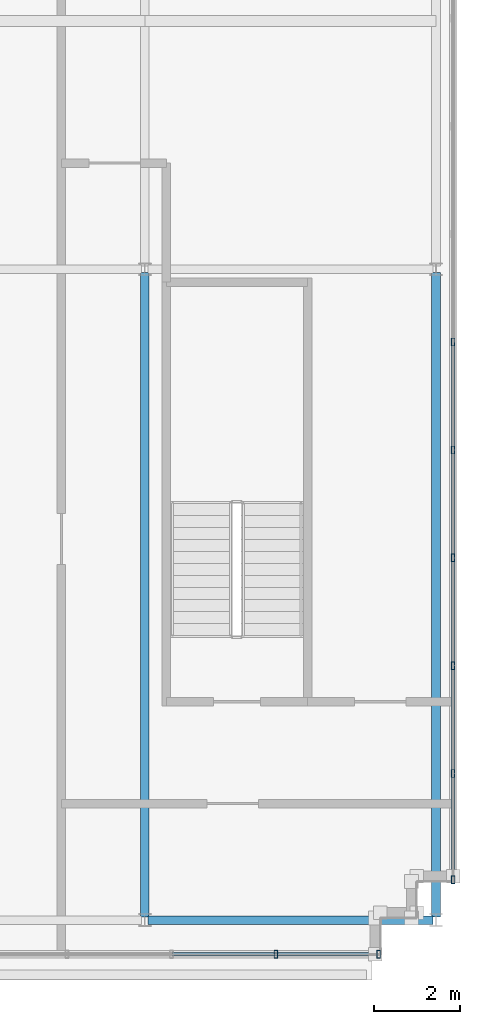
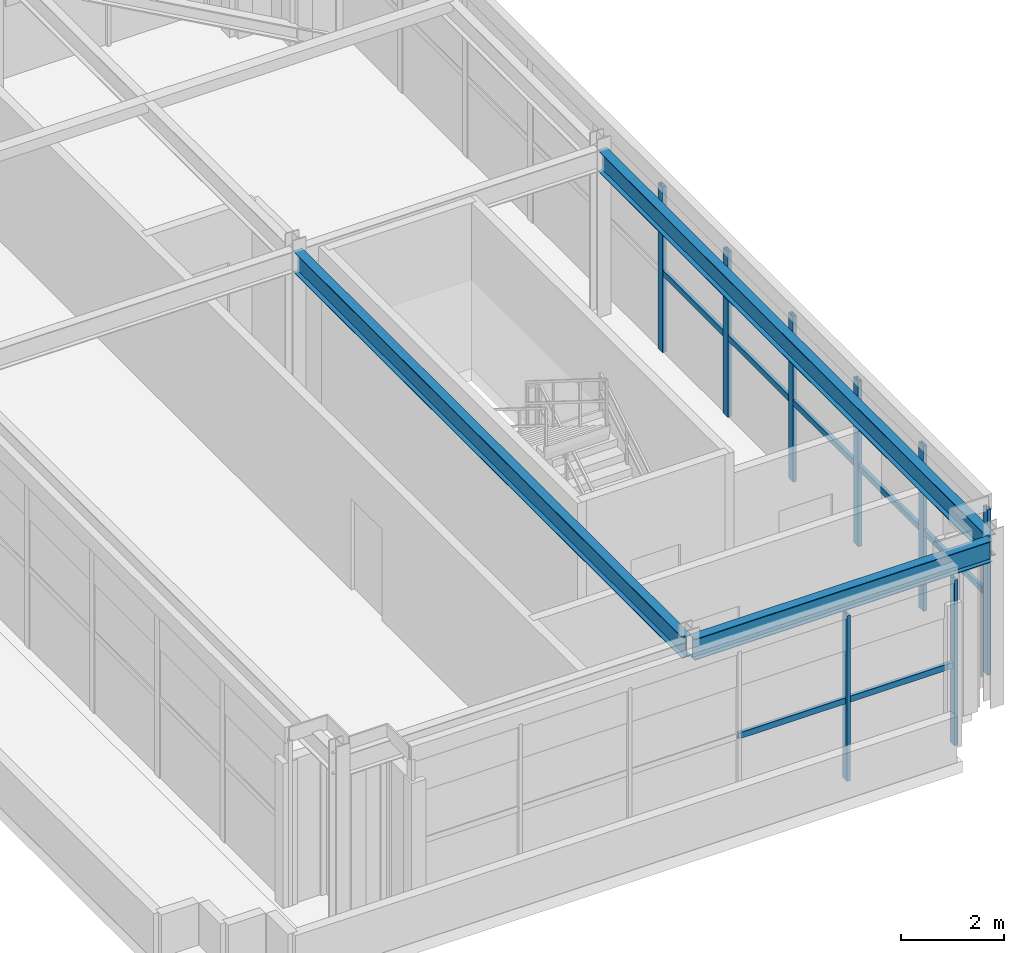
# One storey, part 13 of 25: 15 members, 3 beams, 2 elements without a shape of their own.
"""IFC4 building model written with IfcOpenShell, lengths in metres."""

from ifc_helpers import new_model, si_unit, direction, frame, origin, origin_2d, place, context, subcontext, project, spatial, hollow_rectangle, i_section, extrude, source, transform, mapped, material, material_profile, profile_set, type_object, element, aggregate, save


model = new_model("IFC4")

# Units and contexts
model_context = context("Model", 3, precision=1e-05, world=origin(), true_north=direction((0.0, 1.0)))
body_context = subcontext(model_context, "Body", "Model", "MODEL_VIEW")
ifc_project = project(units=[si_unit("LENGTHUNIT", "METRE"), si_unit("AREAUNIT", "SQUARE_METRE"), si_unit("VOLUMEUNIT", "CUBIC_METRE"), si_unit("PLANEANGLEUNIT", "RADIAN"), si_unit("MASSUNIT", "GRAM", prefix="KILO")], contexts=[model_context])

# Site, building, storey
site_placement = place(None, origin())
site = spatial("IfcSite", under=ifc_project, at=site_placement, CompositionType="ELEMENT")
building_placement = place(site_placement, origin())
building = spatial("IfcBuilding", under=site, at=building_placement, Name="Trelvane Seafront Commons", CompositionType="ELEMENT")
storey_placement = place(building_placement, frame((0.0, 0.0, 316.699951171875)))
storey = spatial("IfcBuildingStorey", under=building, at=storey_placement, Name="L82", CompositionType="ELEMENT", Elevation=316.699951171875)

# Beams
ifc_material_1 = material(Name="Steel SM355 (S355)", Category="steel")
ifc_material_profile_1 = material_profile(ifc_material_1, i_section(OverallWidth=0.199951171875, OverallDepth=0.5, WebThickness=0.010009765625, FlangeThickness=0.01611328125, at=origin_2d()), Name="H-500x200x10x16")
ifc_profile_set_1 = profile_set([ifc_material_profile_1], Name="Steel SM355 (S355)")
beam_type_1 = type_object("IfcBeamType", Name="STR-CROWN-FRAME-RING", PredefinedType="SPANDREL", material=ifc_profile_set_1)
shared_shape_1 = source(origin(), body_context, "Body", "SweptSolid", [
    extrude(i_section(OverallWidth=0.199951171875, OverallDepth=0.5, WebThickness=0.010009765625, FlangeThickness=0.01611328125, at=origin_2d()), origin(), (0.0, 0.0, 1.0), 6.64990234375),
])
beam_placement = place(storey_placement, frame((58.875, 18.199951171875, 3.66015625), z_axis=(1.0, 0.0, 0.0), x_axis=(0.0, 1.0, 0.0)))
element("IfcBeam", 1, at=beam_placement, inside=storey, type_object=beam_type_1, Name="L82 CROWN FRAME Ring Beam G-04", PredefinedType="SPANDREL", context=body_context, shape_type="MappedRepresentation", body=[
    mapped(shared_shape_1, transform((0.0, 0.0, 0.0), x_axis=(1.0, 0.0, 0.0), y_axis=(0.0, 1.0, 0.0), z_axis=(0.0, 0.0, 1.0), scale=1.0)),
])
ifc_material_profile_2 = material_profile(ifc_material_1, i_section(OverallWidth=0.199951171875, OverallDepth=0.5, WebThickness=0.010009765625, FlangeThickness=0.01611328125, at=origin_2d()), Name="H-500x200x10x16")
ifc_profile_set_2 = profile_set([ifc_material_profile_2], Name="Steel SM355 (S355)")
beam_type_2 = type_object("IfcBeamType", Name="STR-BM-H500", PredefinedType="BEAM", material=ifc_profile_set_2)
shared_shape_2 = source(origin(), body_context, "Body", "SweptSolid", [
    extrude(i_section(OverallWidth=0.199951171875, OverallDepth=0.5, WebThickness=0.010009765625, FlangeThickness=0.01611328125, at=origin_2d()), origin(), (0.0, 0.0, 1.0), 15.050048828125),
])
for number, where, z_axis, x_axis, name in (
    (2, (58.800048828125, 18.27490234375, 3.66015625), (0.0, 1.0, 0.0), (-1.0, 0.0, 0.0), "L82 Primary Girder G-21"),
    (3, (65.60009765625, 18.27490234375, 3.66015625), (0.0, 1.0, 0.0), (-1.0, 0.0, 0.0), "L82 Primary Girder G-23"),
):
    element("IfcBeam", number, at=place(storey_placement, frame(where, z_axis=z_axis, x_axis=x_axis)), inside=storey, type_object=beam_type_2, Name=name, PredefinedType="BEAM", context=body_context, shape_type="MappedRepresentation", body=[
        mapped(shared_shape_2, transform((0.0, 0.0, 0.0), x_axis=(1.0, 0.0, 0.0), y_axis=(0.0, 1.0, 0.0), z_axis=(0.0, 0.0, 1.0), scale=1.0)),
    ])

# Curtain wall, members
ifc_material_2 = material(Name="Anodised pale-silver aluminium", Category="aluminium")
curtain_wall_type = type_object("IfcCurtainWallType", Name="ARCH-CW6-CROWN", PredefinedType="NOTDEFINED", material=ifc_material_2)
curtain_wall_1_placement = place(storey_placement, origin())
curtain_wall_1 = element("IfcCurtainWall", 4, at=curtain_wall_1_placement, inside=storey, type_object=curtain_wall_type, Name="CW-L82-0158", PredefinedType="NOTDEFINED")
ifc_material_profile_3 = material_profile(ifc_material_2, hollow_rectangle(XDim=0.080078125, YDim=0.179931640625, WallThickness=0.00439453125, at=origin_2d()), Name="MULL-80x180x4.5")
ifc_profile_set_3 = profile_set([ifc_material_profile_3], Name="Anodised pale-silver aluminium")
member_type_1 = type_object("IfcMemberType", Name="ARCH-CW-MULL-180", PredefinedType="MULLION", material=ifc_profile_set_3)
shared_shape_3 = source(origin(), body_context, "Body", "SweptSolid", [
    extrude(hollow_rectangle(XDim=0.080078125, YDim=0.179931640625, WallThickness=0.00439453125, at=origin_2d()), origin(), (0.0, 0.0, 1.0), 3.91015625),
])
member_1_placement = place(storey_placement, frame((66.0, 31.699951171875, 0.0), z_axis=(0.0, 0.0, 1.0), x_axis=(1.0, 0.0, 0.0)))
member_1 = element("IfcMember", 5, at=member_1_placement, type_object=member_type_1, Name="CW-L82-0158-M05", PredefinedType="MULLION", context=body_context, shape_type="MappedRepresentation", body=[
    mapped(shared_shape_3, transform((0.0, 0.0, 0.0), x_axis=(1.0, 0.0, 0.0), y_axis=(0.0, 1.0, 0.0), z_axis=(0.0, 0.0, 1.0), scale=1.0)),
])
member_2_placement = place(storey_placement, frame((66.0, 29.179931640625, 0.0), z_axis=(0.0, 0.0, 1.0), x_axis=(1.0, 0.0, 0.0)))
member_2 = element("IfcMember", 6, at=member_2_placement, type_object=member_type_1, Name="CW-L82-0158-M06", PredefinedType="MULLION", context=body_context, shape_type="MappedRepresentation", body=[
    mapped(shared_shape_3, transform((0.0, 0.0, 0.0), x_axis=(1.0, 0.0, 0.0), y_axis=(0.0, 1.0, 0.0), z_axis=(0.0, 0.0, 1.0), scale=1.0)),
])
member_3_placement = place(storey_placement, frame((66.0, 26.659912109375, 0.0), z_axis=(0.0, 0.0, 1.0), x_axis=(1.0, 0.0, 0.0)))
member_3 = element("IfcMember", 7, at=member_3_placement, type_object=member_type_1, Name="CW-L82-0158-M07", PredefinedType="MULLION", context=body_context, shape_type="MappedRepresentation", body=[
    mapped(shared_shape_3, transform((0.0, 0.0, 0.0), x_axis=(1.0, 0.0, 0.0), y_axis=(0.0, 1.0, 0.0), z_axis=(0.0, 0.0, 1.0), scale=1.0)),
])
member_4_placement = place(storey_placement, frame((66.0, 24.139892578125, 0.0), z_axis=(0.0, 0.0, 1.0), x_axis=(1.0, 0.0, 0.0)))
member_4 = element("IfcMember", 8, at=member_4_placement, type_object=member_type_1, Name="CW-L82-0158-M08", PredefinedType="MULLION", context=body_context, shape_type="MappedRepresentation", body=[
    mapped(shared_shape_3, transform((0.0, 0.0, 0.0), x_axis=(1.0, 0.0, 0.0), y_axis=(0.0, 1.0, 0.0), z_axis=(0.0, 0.0, 1.0), scale=1.0)),
])
member_5_placement = place(storey_placement, frame((66.0, 21.6201171875, 0.0), z_axis=(0.0, 0.0, 1.0), x_axis=(1.0, 0.0, 0.0)))
member_5 = element("IfcMember", 9, at=member_5_placement, type_object=member_type_1, Name="CW-L82-0158-M09", PredefinedType="MULLION", context=body_context, shape_type="MappedRepresentation", body=[
    mapped(shared_shape_3, transform((0.0, 0.0, 0.0), x_axis=(1.0, 0.0, 0.0), y_axis=(0.0, 1.0, 0.0), z_axis=(0.0, 0.0, 1.0), scale=1.0)),
])
member_6_placement = place(storey_placement, frame((66.0, 19.139892578125, 0.0), z_axis=(0.0, 0.0, 1.0), x_axis=(1.0, 0.0, 0.0)))
member_6 = element("IfcMember", 10, at=member_6_placement, type_object=member_type_1, Name="CW-L82-0158-M10", PredefinedType="MULLION", context=body_context, shape_type="MappedRepresentation", body=[
    mapped(shared_shape_3, transform((0.0, 0.0, 0.0), x_axis=(1.0, 0.0, 0.0), y_axis=(0.0, 1.0, 0.0), z_axis=(0.0, 0.0, 1.0), scale=1.0)),
])

curtain_wall_2_placement = place(storey_placement, origin())
curtain_wall_2 = element("IfcCurtainWall", 11, at=curtain_wall_2_placement, inside=storey, type_object=curtain_wall_type, Name="CW-L82-0159", PredefinedType="NOTDEFINED")
member_7_placement = place(storey_placement, frame((64.260009765625, 17.39990234375, 0.0), z_axis=(0.0, 0.0, 1.0), x_axis=(1.0, 0.0, 0.0)))
member_7 = element("IfcMember", 12, at=member_7_placement, type_object=member_type_1, Name="CW-L82-0159-M00", PredefinedType="MULLION", context=body_context, shape_type="MappedRepresentation", body=[
    mapped(shared_shape_3, transform((0.0, 0.0, 0.0), x_axis=(1.0, 0.0, 0.0), y_axis=(0.0, 1.0, 0.0), z_axis=(0.0, 0.0, 1.0), scale=1.0)),
])
member_8_placement = place(storey_placement, frame((61.860107421875, 17.39990234375, 0.0), z_axis=(0.0, 0.0, 1.0), x_axis=(1.0, 0.0, 0.0)))
member_8 = element("IfcMember", 13, at=member_8_placement, type_object=member_type_1, Name="CW-L82-0159-M01", PredefinedType="MULLION", context=body_context, shape_type="MappedRepresentation", body=[
    mapped(shared_shape_3, transform((0.0, 0.0, 0.0), x_axis=(1.0, 0.0, 0.0), y_axis=(0.0, 1.0, 0.0), z_axis=(0.0, 0.0, 1.0), scale=1.0)),
])

# Member
ifc_material_profile_4 = material_profile(ifc_material_2, hollow_rectangle(XDim=0.074951171875, YDim=0.139892578125, WallThickness=0.00390625, at=origin_2d()), Name="TRAN-75x140x4")
ifc_profile_set_4 = profile_set([ifc_material_profile_4], Name="Anodised pale-silver aluminium")
member_type_2 = type_object("IfcMemberType", Name="ARCH-CW-TRAN-140", PredefinedType="USERDEFINED", material=ifc_profile_set_4)
shared_shape_4 = source(origin(), body_context, "Body", "SweptSolid", [
    extrude(hollow_rectangle(XDim=0.074951171875, YDim=0.139892578125, WallThickness=0.00390625, at=origin_2d()), origin(), (0.0, 0.0, 1.0), 2.495849609375),
])
member_9_placement = place(storey_placement, frame((66.0, 29.16796875, 1.876953125), z_axis=(0.0, -1.0, 0.0), x_axis=(1.0, 0.0, 0.0)))
member_9 = element("IfcMember", 14, at=member_9_placement, type_object=member_type_2, Name="CW-L82-0158-T06", ObjectType="TRANSOM", PredefinedType="USERDEFINED", context=body_context, shape_type="MappedRepresentation", body=[
    mapped(shared_shape_4, transform((0.0, 0.0, 0.0), x_axis=(1.0, 0.0, 0.0), y_axis=(0.0, 1.0, 0.0), z_axis=(0.0, 0.0, 1.0), scale=1.0)),
])

member_10_placement = place(storey_placement, frame((66.0, 26.64794921875, 1.876953125), z_axis=(0.0, -1.0, 0.0), x_axis=(1.0, 0.0, 0.0)))
member_10 = element("IfcMember", 15, at=member_10_placement, type_object=member_type_2, Name="CW-L82-0158-T07", ObjectType="TRANSOM", PredefinedType="USERDEFINED", context=body_context, shape_type="MappedRepresentation", body=[
    mapped(shared_shape_4, transform((0.0, 0.0, 0.0), x_axis=(1.0, 0.0, 0.0), y_axis=(0.0, 1.0, 0.0), z_axis=(0.0, 0.0, 1.0), scale=1.0)),
])

member_11_placement = place(storey_placement, frame((66.0, 24.1279296875, 1.876953125), z_axis=(0.0, -1.0, 0.0), x_axis=(1.0, 0.0, 0.0)))
member_11 = element("IfcMember", 16, at=member_11_placement, type_object=member_type_2, Name="CW-L82-0158-T08", ObjectType="TRANSOM", PredefinedType="USERDEFINED", context=body_context, shape_type="MappedRepresentation", body=[
    mapped(shared_shape_4, transform((0.0, 0.0, 0.0), x_axis=(1.0, 0.0, 0.0), y_axis=(0.0, 1.0, 0.0), z_axis=(0.0, 0.0, 1.0), scale=1.0)),
])

member_12_placement = place(storey_placement, frame((66.0, 21.60791015625, 1.876953125), z_axis=(0.0, -1.0, 0.0), x_axis=(1.0, 0.0, 0.0)))
member_12 = element("IfcMember", 17, at=member_12_placement, type_object=member_type_2, Name="CW-L82-0158-T09", ObjectType="TRANSOM", PredefinedType="USERDEFINED", context=body_context, shape_type="MappedRepresentation", body=[
    mapped(shared_shape_4, transform((0.0, 0.0, 0.0), x_axis=(1.0, 0.0, 0.0), y_axis=(0.0, 1.0, 0.0), z_axis=(0.0, 0.0, 1.0), scale=1.0)),
])

shared_shape_5 = source(origin(), body_context, "Body", "SweptSolid", [
    extrude(hollow_rectangle(XDim=0.074951171875, YDim=0.139892578125, WallThickness=0.00390625, at=origin_2d()), origin(), (0.0, 0.0, 1.0), 2.49609375),
])
member_13_placement = place(storey_placement, frame((66.0, 31.68798828125, 1.876953125), z_axis=(0.0, -1.0, 0.0), x_axis=(1.0, 0.0, 0.0)))
member_13 = element("IfcMember", 18, at=member_13_placement, type_object=member_type_2, Name="CW-L82-0158-T05", ObjectType="TRANSOM", PredefinedType="USERDEFINED", context=body_context, shape_type="MappedRepresentation", body=[
    mapped(shared_shape_5, transform((0.0, 0.0, 0.0), x_axis=(1.0, 0.0, 0.0), y_axis=(0.0, 1.0, 0.0), z_axis=(0.0, 0.0, 1.0), scale=1.0)),
])

aggregate(curtain_wall_1, [member_1, member_2, member_3, member_4, member_5, member_6, member_13, member_9, member_10, member_11, member_12])

shared_shape_6 = source(origin(), body_context, "Body", "SweptSolid", [
    extrude(hollow_rectangle(XDim=0.074951171875, YDim=0.139892578125, WallThickness=0.00390625, at=origin_2d()), origin(), (0.0, 0.0, 1.0), 2.416015625),
])
member_14_placement = place(storey_placement, frame((64.2880859375, 17.39990234375, 1.876953125), z_axis=(-1.0, 0.0, 0.0), x_axis=(0.0, -1.0, 0.0)))
member_14 = element("IfcMember", 19, at=member_14_placement, type_object=member_type_2, Name="CW-L82-0159-T00", ObjectType="TRANSOM", PredefinedType="USERDEFINED", context=body_context, shape_type="MappedRepresentation", body=[
    mapped(shared_shape_6, transform((0.0, 0.0, 0.0), x_axis=(1.0, 0.0, 0.0), y_axis=(0.0, 1.0, 0.0), z_axis=(0.0, 0.0, 1.0), scale=1.0)),
])

member_15_placement = place(storey_placement, frame((61.847900390625, 17.39990234375, 1.876953125), z_axis=(-1.0, 0.0, 0.0), x_axis=(0.0, -1.0, 0.0)))
member_15 = element("IfcMember", 20, at=member_15_placement, type_object=member_type_2, Name="CW-L82-0159-T01", ObjectType="TRANSOM", PredefinedType="USERDEFINED", context=body_context, shape_type="MappedRepresentation", body=[
    mapped(shared_shape_6, transform((0.0, 0.0, 0.0), x_axis=(1.0, 0.0, 0.0), y_axis=(0.0, 1.0, 0.0), z_axis=(0.0, 0.0, 1.0), scale=1.0)),
])

aggregate(curtain_wall_2, [member_7, member_8, member_14, member_15])

save(model, "model.ifc")
